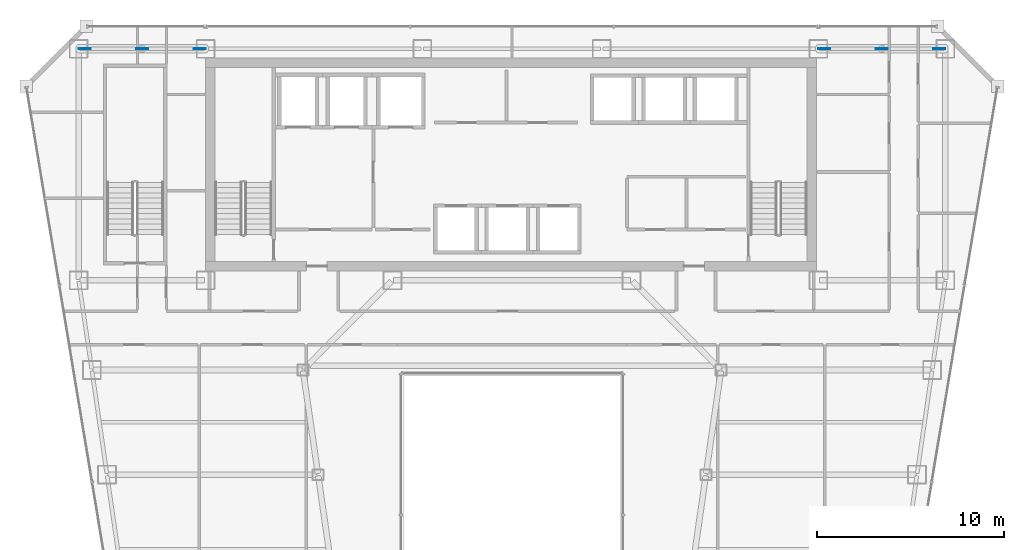
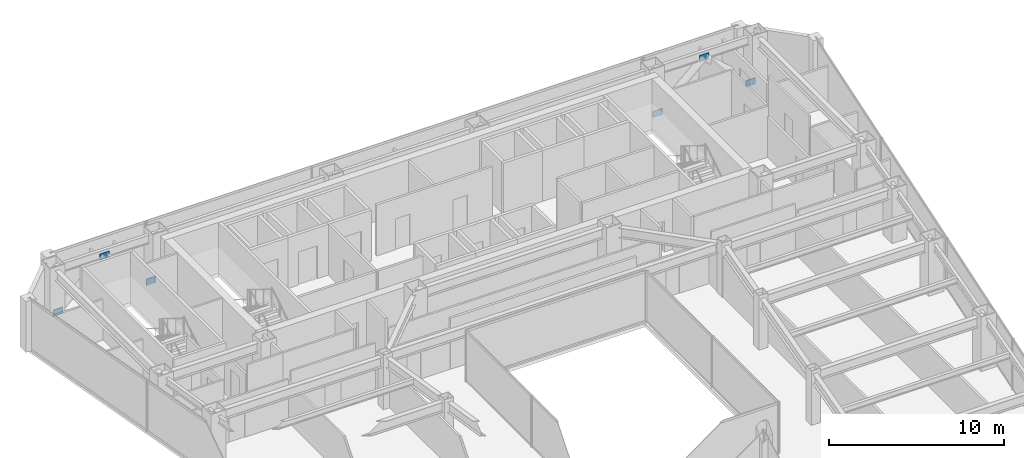
# One storey, part 31 of 38: 6 plates.
"""IFC4 building model written with IfcOpenShell, lengths in metres."""

from ifc_helpers import new_model, si_unit, direction, frame, origin, origin_2d, place, context, subcontext, project, spatial, rectangle, extrude, material, layer, layer_set, type_object, element, save


model = new_model("IFC4")

# Units and contexts
model_context = context("Model", 3, precision=1e-05, world=origin(), true_north=direction((0.0, 1.0)))
body_context = subcontext(model_context, "Body", "Model", "MODEL_VIEW")
ifc_project = project(units=[si_unit("LENGTHUNIT", "METRE"), si_unit("AREAUNIT", "SQUARE_METRE"), si_unit("VOLUMEUNIT", "CUBIC_METRE"), si_unit("PLANEANGLEUNIT", "RADIAN"), si_unit("MASSUNIT", "GRAM", prefix="KILO")], contexts=[model_context])

# Site, building, storey
site_placement = place(None, origin())
site = spatial("IfcSite", under=ifc_project, at=site_placement, CompositionType="ELEMENT")
building_placement = place(site_placement, origin())
building = spatial("IfcBuilding", under=site, at=building_placement, Name="Saevonmaru Cultural Tower", CompositionType="ELEMENT")
storey_placement = place(building_placement, frame((0.0, 0.0, 133.39990234375)))
storey = spatial("IfcBuildingStorey", under=building, at=storey_placement, Name="L28", CompositionType="ELEMENT", Elevation=133.39990234375)

# Plates
ifc_material = material(Name="Steel HSA600 (600 MPa)", Category="steel")
ifc_layer = layer(ifc_material, 0.0400390625, Name="Steel HSA600 (600 MPa)")
ifc_layer_set = layer_set([ifc_layer], Name="Steel HSA600 (600 MPa)")
plate_type = type_object("IfcPlateType", Name="PL-GUSSET-EXT", PredefinedType="USERDEFINED", material=ifc_layer_set)
for number, where, z_axis, x_axis, name in (
    (1, (10.199951171875, 54.800048828125, 2.85009765625), (0.0, 0.0, 1.0), (1.0, 0.0, 0.0), "L28 Perimeter Tube Gusset Plate"),
    (2, (7.1201171875, 54.800048828125, 0.02001953125), (0.0, 0.0, 1.0), (1.0, 0.0, 0.0), "L28 Perimeter Tube Gusset Plate"),
    (3, (13.280029296875, 54.800048828125, 0.02001953125), (0.0, 0.0, 1.0), (1.0, 0.0, 0.0), "L28 Perimeter Tube Gusset Plate"),
    (4, (49.800048828125, 54.800048828125, 2.85009765625), (0.0, 0.0, 1.0), (1.0, 0.0, 0.0), "L28 Perimeter Tube Gusset Plate"),
    (5, (46.719970703125, 54.800048828125, 0.02001953125), (0.0, 0.0, 1.0), (1.0, 0.0, 0.0), "L28 Perimeter Tube Gusset Plate"),
    (6, (52.8798828125, 54.800048828125, 0.02001953125), (0.0, 0.0, 1.0), (1.0, 0.0, 0.0), "L28 Perimeter Tube Gusset Plate"),
):
    element("IfcPlate", number, at=place(storey_placement, frame(where, z_axis=z_axis, x_axis=x_axis)), inside=storey, type_object=plate_type, Name=name, ObjectType="GUSSET_PLATE", PredefinedType="USERDEFINED", context=body_context, shape_type="SweptSolid", body=[
        extrude(rectangle(XDim=0.639892578125, YDim=0.0400390625, at=origin_2d()), origin(), (0.0, 0.0, 1.0), 0.43994140625),
    ])

save(model, "model.ifc")
